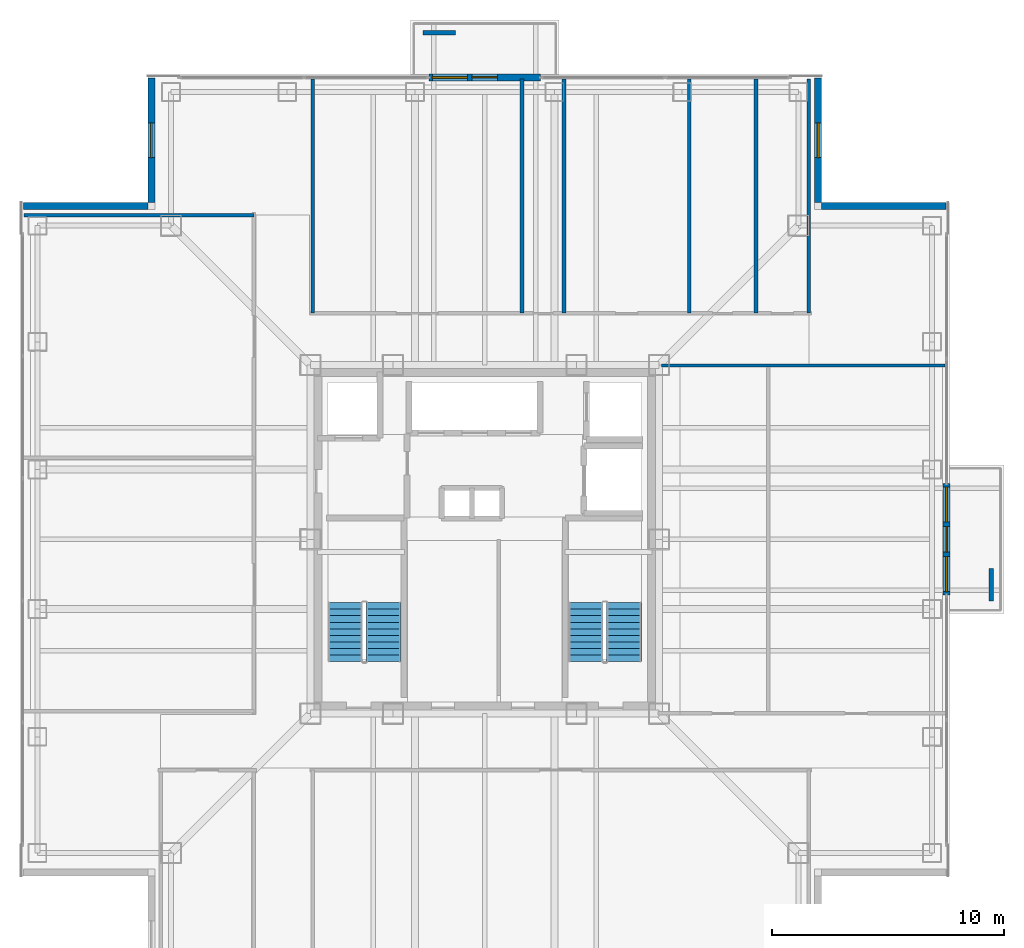
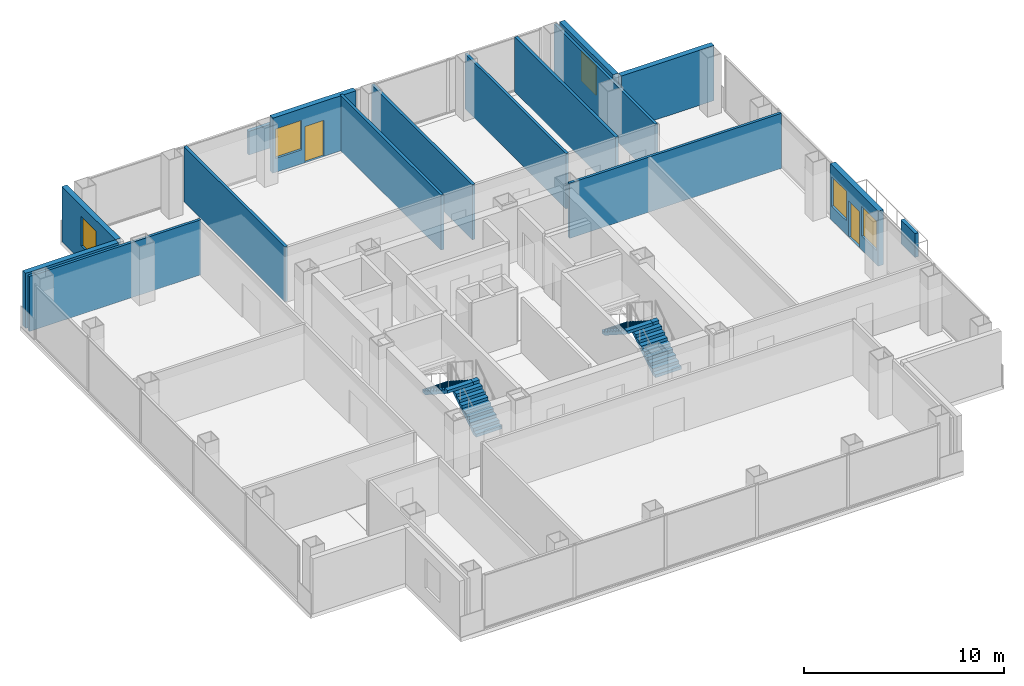
# One storey, part 11 of 17: 16 walls, 5 windows, 4 stair flights, 2 doors, 7 openings, 2 elements without a shape of their own.
"""IFC4 building model written with IfcOpenShell, lengths in metres."""

import ifcopenshell
import ifcopenshell.guid

model = None  # the IFC model being written
_history = None  # IfcOwnerHistory: only IFC2X3 demands one
_inside = {}  # id of a spatial element -> (the spatial element, [elements in it])
_under = {}  # id of a project, library or spatial element -> (it, [spatial elements below it])
_declared = {}  # id of a project -> (the project, [libraries it declares])
_typed = {}  # id of a type object -> (the type object, [elements of that type])
_made_of = {}  # id of a material, layer set ... -> (it, [elements and type objects made of it])


def new_model(schema):
    """Start an empty IFC model of exactly this schema.

    Asked for "IFC4X3", IfcOpenShell would pick the latest addendum, in which some entities
    have other attributes; the version numbers below select the first issue.
    IFC2X3 requires an IfcOwnerHistory on every rooted entity: one is made here for all.
    """
    global model, _history
    if schema == "IFC4X3":
        model = ifcopenshell.file(schema_version=(4, 3, 0, 0))
    else:
        model = ifcopenshell.file(schema=schema)
    _inside.clear()
    _under.clear()
    _declared.clear()
    _typed.clear()
    _made_of.clear()
    _history = None
    if model.schema == "IFC2X3":
        org = make("IfcOrganization", Name="unknown")
        user = make(
            "IfcPersonAndOrganization",
            ThePerson=make("IfcPerson", FamilyName="unknown"),
            TheOrganization=org,
        )
        app = make(
            "IfcApplication",
            ApplicationDeveloper=org,
            Version="unknown",
            ApplicationFullName="unknown",
            ApplicationIdentifier="unknown",
        )
        _history = make(
            "IfcOwnerHistory",
            OwningUser=user,
            OwningApplication=app,
            ChangeAction="ADDED",
            CreationDate=0,
        )
    return model


def make(cls, **values):
    """One entity of the class cls with the attributes given. An attribute that is None is left unset."""
    return model.create_entity(
        cls, **{name: value for name, value in values.items() if value is not None}
    )


def rooted(cls, **values):
    """An entity with a GlobalId (a new one), such as an element, a storey or a relation."""
    return make(cls, GlobalId=ifcopenshell.guid.new(), OwnerHistory=_history, **values)


def si_unit(unit_type, name, prefix=None):
    """IfcSIUnit, for example si_unit("LENGTHUNIT", "METRE", prefix="MILLI")."""
    return make("IfcSIUnit", UnitType=unit_type, Prefix=prefix, Name=name)


def assignment(units):
    """IfcUnitAssignment: the units of a project."""
    return None if units is None else make("IfcUnitAssignment", Units=units)


def point(xyz):
    """IfcCartesianPoint."""
    return None if xyz is None else make("IfcCartesianPoint", Coordinates=xyz)


def direction(xyz):
    """IfcDirection."""
    return None if xyz is None else make("IfcDirection", DirectionRatios=xyz)


def frame(location, z_axis=None, x_axis=None):
    """IfcAxis2Placement3D, a coordinate frame: its origin and axes. An axis left out is left unset."""
    return make(
        "IfcAxis2Placement3D",
        Location=point(location),
        Axis=direction(z_axis),
        RefDirection=direction(x_axis),
    )


def frame_2d(location, x_axis=None):
    """IfcAxis2Placement2D, a coordinate frame in the plane: its origin and x axis."""
    return make(
        "IfcAxis2Placement2D", Location=point(location), RefDirection=direction(x_axis)
    )


def origin():
    """The frame at (0, 0, 0) with its axes left unset."""
    return frame((0.0, 0.0, 0.0))


def place(relative_to, where):
    """IfcLocalPlacement: puts the frame where relative to a parent placement (None: the world)."""
    return make(
        "IfcLocalPlacement", PlacementRelTo=relative_to, RelativePlacement=where
    )


def context(
    kind, dimensions, precision=None, world=None, true_north=None, identifier=None
):
    """IfcGeometricRepresentationContext, for example the 3D "Model" context."""
    return make(
        "IfcGeometricRepresentationContext",
        ContextIdentifier=identifier,
        ContextType=kind,
        CoordinateSpaceDimension=dimensions,
        Precision=precision,
        WorldCoordinateSystem=world,
        TrueNorth=true_north,
    )


def subcontext(parent, identifier, kind, view, scale=None):
    """IfcGeometricRepresentationSubContext, for example "Body" below "Model"."""
    return make(
        "IfcGeometricRepresentationSubContext",
        ContextIdentifier=identifier,
        ContextType=kind,
        ParentContext=parent,
        TargetScale=scale,
        TargetView=view,
    )


def project(units=None, contexts=None):
    """IfcProject with its units and contexts."""
    return rooted(
        "IfcProject",
        Name="project",
        RepresentationContexts=contexts,
        UnitsInContext=assignment(units),
    )


def spatial(cls, under=None, at=None, **own):
    """A site, building, storey or space (cls), placed at a placement, below another one or the project."""
    s = rooted(cls, ObjectPlacement=at, **own)
    if under is not None:
        _under.setdefault(under.id(), (under, []))[1].append(s)
    return s


def polyline(points):
    """IfcPolyline through the points."""
    return make("IfcPolyline", Points=[point(p) for p in points])


def profile(cls, at=None, kind="AREA", **sizes):
    """A parametric profile (cls). Its sizes go by their IFC names, for example OverallWidth=200.0."""
    return make(cls, ProfileType=kind, Position=at, **sizes)


def rectangle(**sizes):
    """IfcRectangleProfileDef."""
    return profile("IfcRectangleProfileDef", **sizes)


def outline(outer, holes=None, kind="AREA"):
    """IfcArbitraryClosedProfileDef: a profile drawn as a closed curve; with holes, ...WithVoids."""
    if holes is None:
        return make("IfcArbitraryClosedProfileDef", ProfileType=kind, OuterCurve=outer)
    return make(
        "IfcArbitraryProfileDefWithVoids",
        ProfileType=kind,
        OuterCurve=outer,
        InnerCurves=holes,
    )


def extrude(swept, where, along, depth):
    """IfcExtrudedAreaSolid: the profile swept, set in the frame where, extruded along a direction by depth."""
    return make(
        "IfcExtrudedAreaSolid",
        SweptArea=swept,
        Position=where,
        ExtrudedDirection=direction(along),
        Depth=depth,
    )


def shape(context_of_items, identifier, shape_type, items):
    """IfcShapeRepresentation: the items that make up one representation, for example the "Body"."""
    return make(
        "IfcShapeRepresentation",
        ContextOfItems=context_of_items,
        RepresentationIdentifier=identifier,
        RepresentationType=shape_type,
        Items=items,
    )


def material(Name=None, Category=None):
    """IfcMaterial."""
    return make("IfcMaterial", Name=Name, Category=Category)


def layer(
    of_material, thickness, ventilated=None, Name=None, Category=None, Priority=None
):
    """IfcMaterialLayer: one layer of a wall or slab, of a material (None: an air gap)."""
    return make(
        "IfcMaterialLayer",
        Material=of_material,
        LayerThickness=thickness,
        IsVentilated=ventilated,
        Name=Name,
        Category=Category,
        Priority=Priority,
    )


def layer_set(layers, Name=None):
    """IfcMaterialLayerSet."""
    return make("IfcMaterialLayerSet", MaterialLayers=layers, LayerSetName=Name)


def made_of(thing, what):
    """Note that an element or type object is made of a material, layer set ...; save() writes the relation."""
    if what is not None:
        _made_of.setdefault(what.id(), (what, []))[1].append(thing)
    return thing


def type_object(cls, material=None, **own):
    """A type object (cls), such as IfcWallType, which elements share."""
    return made_of(rooted(cls, **own), material)


def element(
    cls,
    number,
    at=None,
    inside=None,
    cuts=None,
    type_object=None,
    material=None,
    context=None,
    identifier="Body",
    shape_type=None,
    held_by="IfcProductDefinitionShape",
    body=None,
    shapes=None,
    **own,
):
    """One element of the class cls, such as IfcWall. Its Tag is "e" and its number.

    at: its placement. inside: the storey or other place that contains it. cuts: it is an
    opening in that element (IfcRelVoidsElement). A single representation is given by context,
    identifier, shape_type and body (its items); several are given by shapes. held_by: the class
    of the entity that holds the representations. save() writes the other relations.
    """
    e = rooted(cls, Tag="e%d" % number, ObjectPlacement=at, **own)
    if body is not None:
        shapes = [shape(context, identifier, shape_type, body)]
    if shapes is not None:
        e.Representation = make(held_by, Representations=shapes)
    if inside is not None:
        _inside.setdefault(inside.id(), (inside, []))[1].append(e)
    if cuts is not None:
        rooted(
            "IfcRelVoidsElement", RelatingBuildingElement=cuts, RelatedOpeningElement=e
        )
    if type_object is not None:
        _typed.setdefault(type_object.id(), (type_object, []))[1].append(e)
    return made_of(e, material)


def fill(opening, filler):
    """IfcRelFillsElement: the door or window that sits in an opening."""
    return rooted(
        "IfcRelFillsElement",
        RelatingOpeningElement=opening,
        RelatedBuildingElement=filler,
    )


def aggregate(whole, parts):
    """IfcRelAggregates: a whole, such as a stair, and the parts it consists of."""
    return rooted("IfcRelAggregates", RelatingObject=whole, RelatedObjects=parts)


def save(model, path):
    """Write the relations noted so far, then the file.

    IfcRelAggregates (storeys below a building ...), IfcRelContainedInSpatialStructure (elements
    in a storey), IfcRelDefinesByType, IfcRelAssociatesMaterial and IfcRelDeclares: one each for
    every whole, place, type object, material and project.
    """
    for whole, parts in _under.values():
        aggregate(whole, parts)
    for where, things in _inside.values():
        rooted(
            "IfcRelContainedInSpatialStructure",
            RelatedElements=things,
            RelatingStructure=where,
        )
    for kind, things in _typed.values():
        rooted("IfcRelDefinesByType", RelatedObjects=things, RelatingType=kind)
    for what, things in _made_of.values():
        rooted("IfcRelAssociatesMaterial", RelatedObjects=things, RelatingMaterial=what)
    for by, libraries in _declared.values():
        rooted("IfcRelDeclares", RelatingContext=by, RelatedDefinitions=libraries)
    model.write(path)


model = new_model("IFC4")

# Units and contexts
model_context = context("Model", 3, precision=1e-05, world=origin(), true_north=direction((0.0, 1.0)))
body_context = subcontext(model_context, "Body", "Model", "MODEL_VIEW")
ifc_project = project(units=[si_unit("LENGTHUNIT", "METRE"), si_unit("AREAUNIT", "SQUARE_METRE"), si_unit("VOLUMEUNIT", "CUBIC_METRE"), si_unit("PLANEANGLEUNIT", "RADIAN"), si_unit("MASSUNIT", "GRAM", prefix="KILO")], contexts=[model_context])

# Site, building, storey
site_placement = place(None, origin())
site = spatial("IfcSite", under=ifc_project, at=site_placement, CompositionType="ELEMENT")
building_placement = place(site_placement, origin())
building = spatial("IfcBuilding", under=site, at=building_placement, Name="Trevonay Congress Spire", CompositionType="ELEMENT")
storey_placement = place(building_placement, frame((0.0, 0.0, 187.800048828125)))
storey = spatial("IfcBuildingStorey", under=building, at=storey_placement, Name="L48", CompositionType="ELEMENT", Elevation=187.800048828125)

# Wall, openings, door, window
ifc_material_1 = material(Name="Precast concrete C40/50", Category="concrete")
ifc_layer_1 = layer(ifc_material_1, 0.300048828125, Name="Precast concrete C40/50")
ifc_layer_set_1 = layer_set([ifc_layer_1], Name="Precast concrete C40/50")
wall_type_1 = type_object("IfcWallType", Name="WAL-EXT-PRECAST-300", PredefinedType="SOLIDWALL", material=ifc_layer_set_1)
wall_1_placement = place(storey_placement, frame((-2.39990234375, 19.8798828125, 0.0), z_axis=(0.0, 0.0, 1.0), x_axis=(1.0, 0.0, 0.0)))
wall_1 = element("IfcWall", 1, at=wall_1_placement, inside=storey, type_object=wall_type_1, Name="L48 N glazed balcony portal exterior wall", PredefinedType="SOLIDWALL", context=body_context, shape_type="SweptSolid", body=[
    extrude(rectangle(XDim=4.7998046875, YDim=0.300048828125, at=frame_2d((2.39990234375, 0.0))), origin(), (0.0, 0.0, 1.0), 3.35986328125),
])
opening_1_placement = place(wall_1_placement, frame((1.85009765625, 0.0, 0.0)))
opening_1 = element("IfcOpeningElement", 2, at=opening_1_placement, cuts=wall_1, Name="Opening D03", PredefinedType="OPENING", context=body_context, shape_type="SweptSolid", body=[
    extrude(rectangle(XDim=1.10009765625, YDim=2.199951171875, at=frame_2d((0.550048828125, 1.10009765625))), frame((0.0, 0.16015625, 0.0), z_axis=(0.0, -1.0, 0.0), x_axis=(1.0, 0.0, 0.0)), (0.0, 0.0, 1.0), 0.320068359375),
])
opening_2_placement = place(wall_1_placement, frame((0.14990234375, 0.0, 0.85009765625)))
opening_2 = element("IfcOpeningElement", 3, at=opening_2_placement, cuts=wall_1, Name="Opening WN03", PredefinedType="OPENING", context=body_context, shape_type="SweptSolid", body=[
    extrude(rectangle(XDim=1.5, YDim=1.800048828125, at=frame_2d((0.75, 0.89990234375))), frame((0.0, 0.16015625, 0.0), z_axis=(0.0, -1.0, 0.0), x_axis=(1.0, 0.0, 0.0)), (0.0, 0.0, 1.0), 0.320068359375),
])
ifc_material_2 = material(Name="Pale Anodised Aluminium EN AW-6063-T6", Category="aluminium")
door_type = type_object("IfcDoorType", Name="DOR-EXT-BAL-110", OperationType="NOTDEFINED", PredefinedType="DOOR", material=ifc_material_2)
door_1_placement = place(opening_1_placement, origin())
door_1 = element("IfcDoor", 4, at=door_1_placement, inside=storey, type_object=door_type, Name="L48 N glazed outdoor terrace and balcony door", OperationType="SINGLE_SWING_RIGHT", OverallHeight=2.199951171875, OverallWidth=1.10009765625, PredefinedType="DOOR", context=body_context, shape_type="SweptSolid", body=[
    extrude(rectangle(XDim=1.10009765625, YDim=2.199951171875, at=frame_2d((0.550048828125, 1.10009765625))), frame((0.0, 0.02490234375, 0.0), z_axis=(0.0, -1.0, 0.0), x_axis=(1.0, 0.0, 0.0)), (0.0, 0.0, 1.0), 0.050048828125),
])
fill(opening_1, door_1)
ifc_material_3 = material(Name="Insulated Low-E Vision Glass IGU", Category="glass")
window_type = type_object("IfcWindowType", Name="WIN-NOTCH-150X180", PartitioningType="SINGLE_PANEL", PredefinedType="WINDOW", material=ifc_material_3)
window_1_placement = place(opening_2_placement, origin())
window_1 = element("IfcWindow", 5, at=window_1_placement, inside=storey, type_object=window_type, Name="L48 N balcony sidelight window L", OverallHeight=1.800048828125, OverallWidth=1.5, PartitioningType="SINGLE_PANEL", PredefinedType="WINDOW", context=body_context, shape_type="SweptSolid", body=[
    extrude(rectangle(XDim=1.5, YDim=1.800048828125, at=frame_2d((0.75, 0.89990234375))), frame((0.0, 0.030029296875, 0.0), z_axis=(0.0, -1.0, 0.0), x_axis=(1.0, 0.0, 0.0)), (0.0, 0.0, 1.0), 0.06005859375),
])
fill(opening_2, window_1)

# Wall, openings, door, windows
wall_2_placement = place(storey_placement, frame((19.8798828125, -2.39990234375, 0.0), z_axis=(0.0, 0.0, 1.0), x_axis=(0.0, 1.0, 0.0)))
wall_2 = element("IfcWall", 6, at=wall_2_placement, inside=storey, type_object=wall_type_1, Name="L48 E glazed balcony portal exterior wall", PredefinedType="SOLIDWALL", context=body_context, shape_type="SweptSolid", body=[
    extrude(rectangle(XDim=4.7998046875, YDim=0.300048828125, at=frame_2d((2.39990234375, 0.0))), origin(), (0.0, 0.0, 1.0), 3.35986328125),
])
opening_3_placement = place(wall_2_placement, frame((1.85009765625, 0.0, 0.0)))
opening_3 = element("IfcOpeningElement", 7, at=opening_3_placement, cuts=wall_2, Name="Opening D03", PredefinedType="OPENING", context=body_context, shape_type="SweptSolid", body=[
    extrude(rectangle(XDim=1.10009765625, YDim=2.199951171875, at=frame_2d((0.550048828125, 1.10009765625))), frame((0.0, 0.16015625, 0.0), z_axis=(0.0, -1.0, 0.0), x_axis=(1.0, 0.0, 0.0)), (0.0, 0.0, 1.0), 0.320068359375),
])
opening_4_placement = place(wall_2_placement, frame((0.14990234375, 0.0, 0.85009765625)))
opening_4 = element("IfcOpeningElement", 8, at=opening_4_placement, cuts=wall_2, Name="Opening WN03", PredefinedType="OPENING", context=body_context, shape_type="SweptSolid", body=[
    extrude(rectangle(XDim=1.5, YDim=1.800048828125, at=frame_2d((0.75, 0.89990234375))), frame((0.0, 0.16015625, 0.0), z_axis=(0.0, -1.0, 0.0), x_axis=(1.0, 0.0, 0.0)), (0.0, 0.0, 1.0), 0.320068359375),
])
opening_5_placement = place(wall_2_placement, frame((3.14990234375, 0.0, 0.85009765625)))
opening_5 = element("IfcOpeningElement", 9, at=opening_5_placement, cuts=wall_2, Name="Opening WN03", PredefinedType="OPENING", context=body_context, shape_type="SweptSolid", body=[
    extrude(rectangle(XDim=1.5, YDim=1.800048828125, at=frame_2d((0.75, 0.89990234375))), frame((0.0, 0.16015625, 0.0), z_axis=(0.0, -1.0, 0.0), x_axis=(1.0, 0.0, 0.0)), (0.0, 0.0, 1.0), 0.320068359375),
])
door_2_placement = place(opening_3_placement, origin())
door_2 = element("IfcDoor", 10, at=door_2_placement, inside=storey, type_object=door_type, Name="L48 E glazed outdoor terrace and balcony door", OperationType="SINGLE_SWING_RIGHT", OverallHeight=2.199951171875, OverallWidth=1.10009765625, PredefinedType="DOOR", context=body_context, shape_type="SweptSolid", body=[
    extrude(rectangle(XDim=1.10009765625, YDim=2.199951171875, at=frame_2d((0.550048828125, 1.10009765625))), frame((0.0, 0.02490234375, 0.0), z_axis=(0.0, -1.0, 0.0), x_axis=(1.0, 0.0, 0.0)), (0.0, 0.0, 1.0), 0.050048828125),
])
fill(opening_3, door_2)
window_2_placement = place(opening_4_placement, origin())
window_2 = element("IfcWindow", 11, at=window_2_placement, inside=storey, type_object=window_type, Name="L48 E balcony sidelight window L", OverallHeight=1.800048828125, OverallWidth=1.5, PartitioningType="SINGLE_PANEL", PredefinedType="WINDOW", context=body_context, shape_type="SweptSolid", body=[
    extrude(rectangle(XDim=1.5, YDim=1.800048828125, at=frame_2d((0.75, 0.89990234375))), frame((0.0, 0.030029296875, 0.0), z_axis=(0.0, -1.0, 0.0), x_axis=(1.0, 0.0, 0.0)), (0.0, 0.0, 1.0), 0.06005859375),
])
fill(opening_4, window_2)
window_3_placement = place(opening_5_placement, origin())
window_3 = element("IfcWindow", 12, at=window_3_placement, inside=storey, type_object=window_type, Name="L48 E balcony sidelight window R", OverallHeight=1.800048828125, OverallWidth=1.5, PartitioningType="SINGLE_PANEL", PredefinedType="WINDOW", context=body_context, shape_type="SweptSolid", body=[
    extrude(rectangle(XDim=1.5, YDim=1.800048828125, at=frame_2d((0.75, 0.89990234375))), frame((0.0, 0.030029296875, 0.0), z_axis=(0.0, -1.0, 0.0), x_axis=(1.0, 0.0, 0.0)), (0.0, 0.0, 1.0), 0.06005859375),
])
fill(opening_5, window_3)

# Wall, opening, window
wall_3_placement = place(storey_placement, frame((14.35009765625, 19.85009765625, 0.0), z_axis=(0.0, 0.0, 1.0), x_axis=(0.0, -1.0, 0.0)))
wall_3 = element("IfcWall", 13, at=wall_3_placement, inside=storey, type_object=wall_type_1, Name="L48 NE re-entrant notch exterior wall 1", PredefinedType="SOLIDWALL", context=body_context, shape_type="SweptSolid", body=[
    extrude(rectangle(XDim=5.35009765625, YDim=0.300048828125, at=frame_2d((2.675048828125, 0.0))), origin(), (0.0, 0.0, 1.0), 3.35986328125),
])
opening_6_placement = place(wall_3_placement, frame((1.925048828125, 0.0, 0.89990234375)))
opening_6 = element("IfcOpeningElement", 14, at=opening_6_placement, cuts=wall_3, Name="Opening WN03", PredefinedType="OPENING", context=body_context, shape_type="SweptSolid", body=[
    extrude(rectangle(XDim=1.5, YDim=1.800048828125, at=frame_2d((0.75, 0.89990234375))), frame((0.0, 0.16015625, 0.0), z_axis=(0.0, -1.0, 0.0), x_axis=(1.0, 0.0, 0.0)), (0.0, 0.0, 1.0), 0.320068359375),
])
window_4_placement = place(opening_6_placement, origin())
window_4 = element("IfcWindow", 15, at=window_4_placement, inside=storey, type_object=window_type, Name="L48 NE corner notch window", OverallHeight=1.800048828125, OverallWidth=1.5, PartitioningType="SINGLE_PANEL", PredefinedType="WINDOW", context=body_context, shape_type="SweptSolid", body=[
    extrude(rectangle(XDim=1.5, YDim=1.800048828125, at=frame_2d((0.75, 0.89990234375))), frame((0.0, 0.030029296875, 0.0), z_axis=(0.0, -1.0, 0.0), x_axis=(1.0, 0.0, 0.0)), (0.0, 0.0, 1.0), 0.06005859375),
])
fill(opening_6, window_4)

# Wall
wall_4_placement = place(storey_placement, frame((19.85009765625, 14.35009765625, 0.0), z_axis=(0.0, 0.0, 1.0), x_axis=(-1.0, 0.0, 0.0)))
element("IfcWall", 16, at=wall_4_placement, inside=storey, type_object=wall_type_1, Name="L48 NE re-entrant notch exterior wall 2", PredefinedType="SOLIDWALL", context=body_context, shape_type="SweptSolid", body=[
    extrude(rectangle(XDim=5.35009765625, YDim=0.300048828125, at=frame_2d((2.675048828125, 0.0))), origin(), (0.0, 0.0, 1.0), 3.35986328125),
])

# Wall, opening, window
wall_5_placement = place(storey_placement, frame((-14.35009765625, 19.85009765625, 0.0), z_axis=(0.0, 0.0, 1.0), x_axis=(0.0, -1.0, 0.0)))
wall_5 = element("IfcWall", 17, at=wall_5_placement, inside=storey, type_object=wall_type_1, Name="L48 NW re-entrant notch exterior wall 1", PredefinedType="SOLIDWALL", context=body_context, shape_type="SweptSolid", body=[
    extrude(rectangle(XDim=5.35009765625, YDim=0.300048828125, at=frame_2d((2.675048828125, 0.0))), origin(), (0.0, 0.0, 1.0), 3.35986328125),
])
opening_7_placement = place(wall_5_placement, frame((1.925048828125, 0.0, 0.89990234375)))
opening_7 = element("IfcOpeningElement", 18, at=opening_7_placement, cuts=wall_5, Name="Opening WN03", PredefinedType="OPENING", context=body_context, shape_type="SweptSolid", body=[
    extrude(rectangle(XDim=1.5, YDim=1.800048828125, at=frame_2d((0.75, 0.89990234375))), frame((0.0, 0.16015625, 0.0), z_axis=(0.0, -1.0, 0.0), x_axis=(1.0, 0.0, 0.0)), (0.0, 0.0, 1.0), 0.320068359375),
])
window_5_placement = place(opening_7_placement, origin())
window_5 = element("IfcWindow", 19, at=window_5_placement, inside=storey, type_object=window_type, Name="L48 NW corner notch window", OverallHeight=1.800048828125, OverallWidth=1.5, PartitioningType="SINGLE_PANEL", PredefinedType="WINDOW", context=body_context, shape_type="SweptSolid", body=[
    extrude(rectangle(XDim=1.5, YDim=1.800048828125, at=frame_2d((0.75, 0.89990234375))), frame((0.0, 0.030029296875, 0.0), z_axis=(0.0, -1.0, 0.0), x_axis=(1.0, 0.0, 0.0)), (0.0, 0.0, 1.0), 0.06005859375),
])
fill(opening_7, window_5)

# Walls
wall_6_placement = place(storey_placement, frame((-19.85009765625, 14.35009765625, 0.0), z_axis=(0.0, 0.0, 1.0), x_axis=(1.0, 0.0, 0.0)))
element("IfcWall", 20, at=wall_6_placement, inside=storey, type_object=wall_type_1, Name="L48 NW re-entrant notch exterior wall 2", PredefinedType="SOLIDWALL", context=body_context, shape_type="SweptSolid", body=[
    extrude(rectangle(XDim=5.35009765625, YDim=0.300048828125, at=frame_2d((2.675048828125, 0.0))), origin(), (0.0, 0.0, 1.0), 3.35986328125),
])
ifc_material_4 = material(Name="Concrete C40/50", Category="concrete")
ifc_layer_2 = layer(ifc_material_4, 0.14990234375, Name="Concrete C40/50")
ifc_layer_set_2 = layer_set([ifc_layer_2], Name="Concrete C40/50")
wall_type_2 = type_object("IfcWallType", Name="WAL-PART-150", PredefinedType="PARTITIONING", material=ifc_layer_set_2)
wall_7_placement = place(storey_placement, frame((-19.820068359375, 13.949951171875, 0.0), z_axis=(0.0, 0.0, 1.0), x_axis=(1.0, 0.0, 0.0)))
element("IfcWall", 21, at=wall_7_placement, inside=storey, type_object=wall_type_2, Name="L48 interior wall WP-L48NW-DIV3", PredefinedType="PARTITIONING", context=body_context, shape_type="SweptSolid", body=[
    extrude(rectangle(XDim=9.89013671875, YDim=0.14990234375, at=frame_2d((4.945068359375, 0.0))), origin(), (0.0, 0.0, 1.0), 3.35986328125),
])
for number, where, z_axis, x_axis, name in (
    (22, (8.800048828125, 9.72998046875, 0.0), (0.0, 0.0, 1.0), (0.0, 1.0, 0.0), "L48 interior wall WP-L48N-DIV3"),
    (23, (13.949951171875, 9.72998046875, 0.0), (0.0, 0.0, 1.0), (0.0, 1.0, 0.0), "L48 interior wall WP-L48N-DIV4"),
):
    element("IfcWall", number, at=place(storey_placement, frame(where, z_axis=z_axis, x_axis=x_axis)), inside=storey, type_object=wall_type_2, Name=name, PredefinedType="PARTITIONING", context=body_context, shape_type="SweptSolid", body=[
        extrude(rectangle(XDim=10.090087890625, YDim=0.14990234375, at=frame_2d((5.044921875, 0.0))), origin(), (0.0, 0.0, 1.0), 3.35986328125),
    ])
wall_8_placement = place(storey_placement, frame((7.60009765625, 7.47998046875, 0.0), z_axis=(0.0, 0.0, 1.0), x_axis=(1.0, 0.0, 0.0)))
element("IfcWall", 24, at=wall_8_placement, inside=storey, type_object=wall_type_2, Name="L48 interior wall WP-L48E-NCLS", PredefinedType="PARTITIONING", context=body_context, shape_type="SweptSolid", body=[
    extrude(rectangle(XDim=12.219970703125, YDim=0.14990234375, at=frame_2d((6.10986328125, 0.0))), origin(), (0.0, 0.0, 1.0), 3.35986328125),
])
ifc_layer_3 = layer(ifc_material_1, 0.199951171875, Name="Precast concrete C40/50")
ifc_layer_set_3 = layer_set([ifc_layer_3], Name="Precast concrete C40/50")
wall_type_3 = type_object("IfcWallType", Name="WAL-TREE-PLANTER-200", PredefinedType="PARAPET", material=ifc_layer_set_3)
for number, where, z_axis, x_axis, name in (
    (25, (-2.64990234375, 21.800048828125, 0.0), (0.0, 0.0, 1.0), (1.0, 0.0, 0.0), "L48 N cantilevered balcony tree planter box"),
    (26, (21.800048828125, -2.64990234375, 0.0), (0.0, 0.0, 1.0), (0.0, 1.0, 0.0), "L48 E cantilevered balcony tree planter box"),
):
    element("IfcWall", number, at=place(storey_placement, frame(where, z_axis=z_axis, x_axis=x_axis)), inside=storey, type_object=wall_type_3, Name=name, PredefinedType="PARAPET", context=body_context, shape_type="SweptSolid", body=[
        extrude(rectangle(XDim=1.39990234375, YDim=0.199951171875, at=frame_2d((0.699951171875, 0.0))), origin(), (0.0, 0.0, 1.0), 1.449951171875),
    ])
ifc_layer_4 = layer(ifc_material_4, 0.1650390625, Name="Concrete C40/50")
ifc_layer_set_4 = layer_set([ifc_layer_4], Name="Concrete C40/50")
wall_type_4 = type_object("IfcWallType", Name="WAL-WET-165", PredefinedType="PLUMBINGWALL", material=ifc_layer_set_4)
for number, where, z_axis, x_axis, name in (
    (27, (3.409912109375, 9.72998046875, 0.0), (0.0, 0.0, 1.0), (0.0, 1.0, 0.0), "L48 interior wall WP-L48N-WCS2"),
    (28, (11.679931640625, 9.72998046875, 0.0), (0.0, 0.0, 1.0), (0.0, 1.0, 0.0), "L48 interior wall WP-L48N-WCS3"),
    (29, (-7.39990234375, 9.72998046875, 0.0), (0.0, 0.0, 1.0), (0.0, 1.0, 0.0), "L48 interior wall WP-L48N-DIV1"),
    (30, (1.60009765625, 9.72998046875, 0.0), (0.0, 0.0, 1.0), (0.0, 1.0, 0.0), "L48 interior wall WP-L48N-DIV2"),
):
    element("IfcWall", number, at=place(storey_placement, frame(where, z_axis=z_axis, x_axis=x_axis)), inside=storey, type_object=wall_type_4, Name=name, PredefinedType="PLUMBINGWALL", context=body_context, shape_type="SweptSolid", body=[
        extrude(rectangle(XDim=10.090087890625, YDim=0.1650390625, at=frame_2d((5.044921875, 0.0))), origin(), (0.0, 0.0, 1.0), 3.35986328125),
    ])

# Stair, stair flights
stair_type_1 = type_object("IfcStairType", Name="STR-ST-1", PredefinedType="HALF_TURN_STAIR", material=ifc_material_4)
stair_1_placement = place(storey_placement, origin())
stair_1 = element("IfcStair", 31, at=stair_1_placement, inside=storey, type_object=stair_type_1, Name="L48 Protected Exit Stair ST-1", PredefinedType="HALF_TURN_STAIR")
stair_flight_type_1 = type_object("IfcStairFlightType", Name="SFL-ST-1", PredefinedType="STRAIGHT", material=ifc_material_4)
stair_flight_1_placement = place(storey_placement, frame((-4.35009765625, -5.25, 0.0), z_axis=(0.0, 0.0, 1.0), x_axis=(0.0, 1.0, 0.0)))
stair_flight_1 = element("IfcStairFlight", 32, at=stair_flight_1_placement, type_object=stair_flight_type_1, Name="ST-1 flight 1", NumberOfRisers=10, NumberOfTreads=9, PredefinedType="STRAIGHT", RiserHeight=0.18, TreadLength=0.28, context=body_context, shape_type="SweptSolid", body=[
    extrude(outline(polyline([(0.0, 0.0), (0.0, 0.179931640625), (0.280029296875, 0.179931640625), (0.280029296875, 0.360107421875), (0.56005859375, 0.360107421875), (0.56005859375, 0.5400390625), (0.840087890625, 0.5400390625), (0.840087890625, 0.719970703125), (1.1201171875, 0.719970703125), (1.1201171875, 0.89990234375), (1.39990234375, 0.89990234375), (1.39990234375, 1.080078125), (1.679931640625, 1.080078125), (1.679931640625, 1.260009765625), (1.9599609375, 1.260009765625), (1.9599609375, 1.43994140625), (2.239990234375, 1.43994140625), (2.239990234375, 1.6201171875), (2.52001953125, 1.6201171875), (2.52001953125, 1.800048828125), (2.52001953125, 1.44189453125), (0.277099609375, 0.0), (0.0, 0.0)])), frame((0.0, 0.75, 0.0), z_axis=(0.0, -1.0, 0.0), x_axis=(1.0, 0.0, 0.0)), (0.0, 0.0, 1.0), 1.5),
])
stair_flight_2_placement = place(storey_placement, frame((-6.0, -2.72998046875, 1.800048828125), z_axis=(0.0, 0.0, 1.0), x_axis=(0.0, -1.0, 0.0)))
stair_flight_2 = element("IfcStairFlight", 33, at=stair_flight_2_placement, type_object=stair_flight_type_1, Name="ST-1 flight 2", NumberOfRisers=10, NumberOfTreads=9, PredefinedType="STRAIGHT", RiserHeight=0.18, TreadLength=0.28, context=body_context, shape_type="SweptSolid", body=[
    extrude(outline(polyline([(0.0, 0.0), (0.0, 0.179931640625), (0.280029296875, 0.179931640625), (0.280029296875, 0.360107421875), (0.56005859375, 0.360107421875), (0.56005859375, 0.5400390625), (0.840087890625, 0.5400390625), (0.840087890625, 0.719970703125), (1.1201171875, 0.719970703125), (1.1201171875, 0.89990234375), (1.39990234375, 0.89990234375), (1.39990234375, 1.080078125), (1.679931640625, 1.080078125), (1.679931640625, 1.260009765625), (1.9599609375, 1.260009765625), (1.9599609375, 1.43994140625), (2.239990234375, 1.43994140625), (2.239990234375, 1.6201171875), (2.52001953125, 1.6201171875), (2.52001953125, 1.800048828125), (2.52001953125, 1.44189453125), (0.277099609375, 0.0), (0.0, 0.0)])), frame((0.0, 0.75, 0.0), z_axis=(0.0, -1.0, 0.0), x_axis=(1.0, 0.0, 0.0)), (0.0, 0.0, 1.0), 1.5),
])
aggregate(stair_1, [stair_flight_1, stair_flight_2])

stair_type_2 = type_object("IfcStairType", Name="STR-ST-2", PredefinedType="HALF_TURN_STAIR", material=ifc_material_4)
stair_2_placement = place(storey_placement, origin())
stair_2 = element("IfcStair", 34, at=stair_2_placement, inside=storey, type_object=stair_type_2, Name="L48 Protected Exit Stair ST-2", PredefinedType="HALF_TURN_STAIR")
stair_flight_type_2 = type_object("IfcStairFlightType", Name="SFL-ST-2", PredefinedType="STRAIGHT", material=ifc_material_4)
stair_flight_3_placement = place(storey_placement, frame((6.0, -5.25, 0.0), z_axis=(0.0, 0.0, 1.0), x_axis=(0.0, 1.0, 0.0)))
stair_flight_3 = element("IfcStairFlight", 35, at=stair_flight_3_placement, type_object=stair_flight_type_2, Name="ST-2 flight 1", NumberOfRisers=10, NumberOfTreads=9, PredefinedType="STRAIGHT", RiserHeight=0.18, TreadLength=0.28, context=body_context, shape_type="SweptSolid", body=[
    extrude(outline(polyline([(0.0, 0.0), (0.0, 0.179931640625), (0.280029296875, 0.179931640625), (0.280029296875, 0.360107421875), (0.56005859375, 0.360107421875), (0.56005859375, 0.5400390625), (0.840087890625, 0.5400390625), (0.840087890625, 0.719970703125), (1.1201171875, 0.719970703125), (1.1201171875, 0.89990234375), (1.39990234375, 0.89990234375), (1.39990234375, 1.080078125), (1.679931640625, 1.080078125), (1.679931640625, 1.260009765625), (1.9599609375, 1.260009765625), (1.9599609375, 1.43994140625), (2.239990234375, 1.43994140625), (2.239990234375, 1.6201171875), (2.52001953125, 1.6201171875), (2.52001953125, 1.800048828125), (2.52001953125, 1.44189453125), (0.277099609375, 0.0), (0.0, 0.0)])), frame((0.0, 0.75, 0.0), z_axis=(0.0, -1.0, 0.0), x_axis=(1.0, 0.0, 0.0)), (0.0, 0.0, 1.0), 1.5),
])
stair_flight_4_placement = place(storey_placement, frame((4.35009765625, -2.72998046875, 1.800048828125), z_axis=(0.0, 0.0, 1.0), x_axis=(0.0, -1.0, 0.0)))
stair_flight_4 = element("IfcStairFlight", 36, at=stair_flight_4_placement, type_object=stair_flight_type_2, Name="ST-2 flight 2", NumberOfRisers=10, NumberOfTreads=9, PredefinedType="STRAIGHT", RiserHeight=0.18, TreadLength=0.28, context=body_context, shape_type="SweptSolid", body=[
    extrude(outline(polyline([(0.0, 0.0), (0.0, 0.179931640625), (0.280029296875, 0.179931640625), (0.280029296875, 0.360107421875), (0.56005859375, 0.360107421875), (0.56005859375, 0.5400390625), (0.840087890625, 0.5400390625), (0.840087890625, 0.719970703125), (1.1201171875, 0.719970703125), (1.1201171875, 0.89990234375), (1.39990234375, 0.89990234375), (1.39990234375, 1.080078125), (1.679931640625, 1.080078125), (1.679931640625, 1.260009765625), (1.9599609375, 1.260009765625), (1.9599609375, 1.43994140625), (2.239990234375, 1.43994140625), (2.239990234375, 1.6201171875), (2.52001953125, 1.6201171875), (2.52001953125, 1.800048828125), (2.52001953125, 1.44189453125), (0.277099609375, 0.0), (0.0, 0.0)])), frame((0.0, 0.75, 0.0), z_axis=(0.0, -1.0, 0.0), x_axis=(1.0, 0.0, 0.0)), (0.0, 0.0, 1.0), 1.5),
])
aggregate(stair_2, [stair_flight_3, stair_flight_4])

save(model, "model.ifc")
